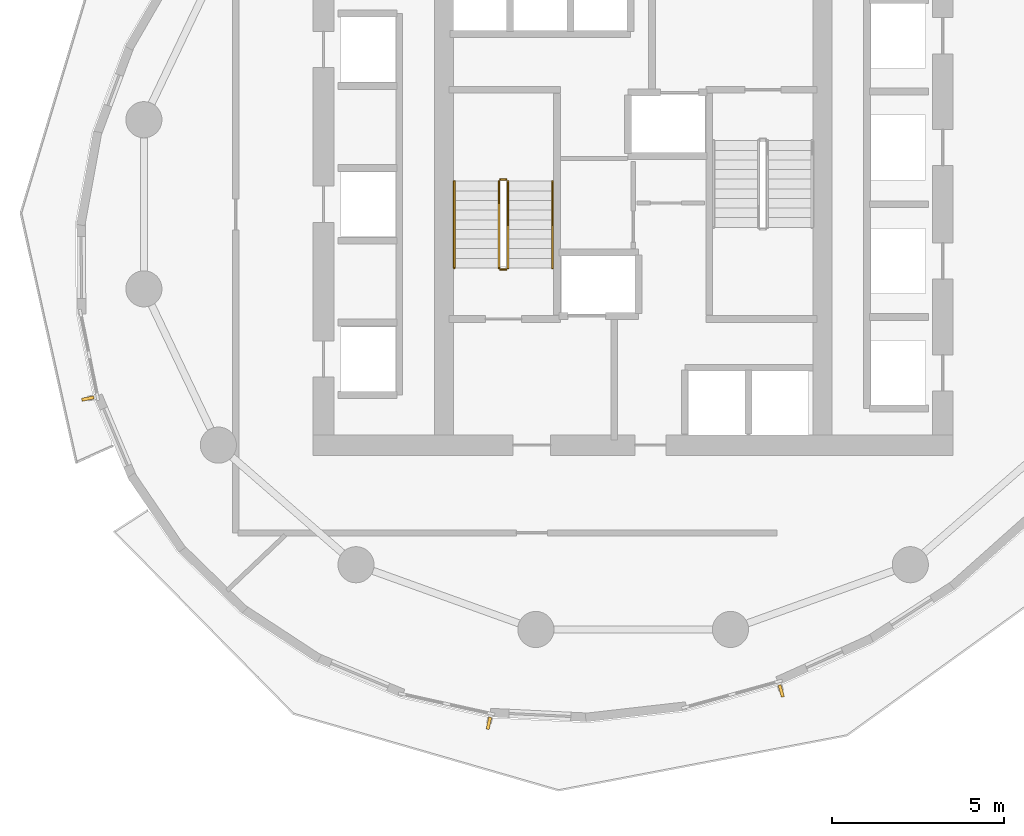
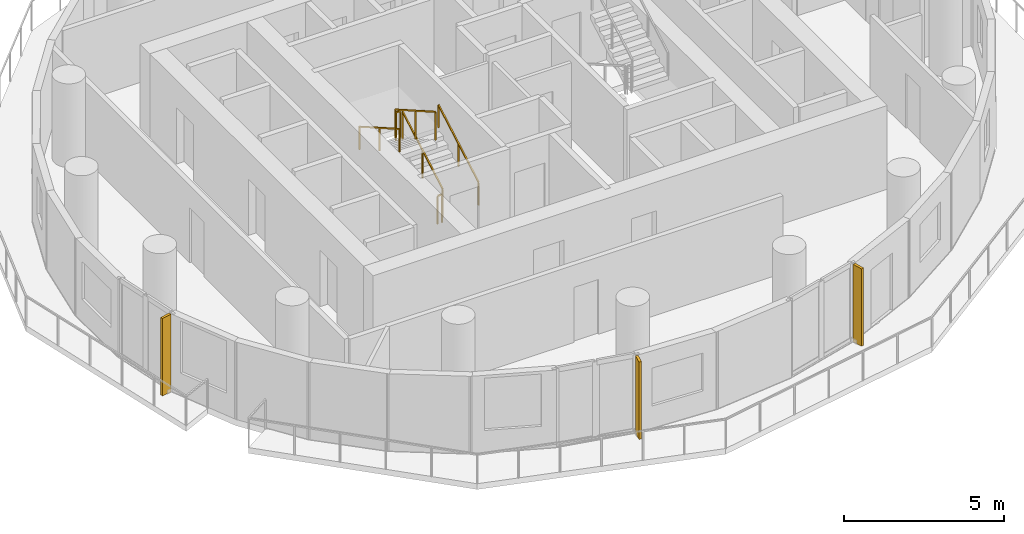
# One storey, part 7 of 11: 6 railings, 3 shading devices.
"""IFC4 building model written with IfcOpenShell, lengths in metres."""

from ifc_helpers import new_model, si_unit, direction, frame, origin, origin_2d, place, context, subcontext, project, spatial, rectangle, extrude, material, layer, layer_set, type_object, element, save


model = new_model("IFC4")

# Units and contexts
model_context = context("Model", 3, precision=1e-05, world=origin(), true_north=direction((0.0, 1.0)))
body_context = subcontext(model_context, "Body", "Model", "MODEL_VIEW")
ifc_project = project(units=[si_unit("LENGTHUNIT", "METRE"), si_unit("AREAUNIT", "SQUARE_METRE"), si_unit("VOLUMEUNIT", "CUBIC_METRE"), si_unit("PLANEANGLEUNIT", "RADIAN"), si_unit("MASSUNIT", "GRAM", prefix="KILO")], contexts=[model_context])

# Site, building, storey
site_placement = place(None, origin())
site = spatial("IfcSite", under=ifc_project, at=site_placement, CompositionType="ELEMENT")
building_placement = place(site_placement, origin())
building = spatial("IfcBuilding", under=site, at=building_placement, Name="Veldorim Arch Residences", CompositionType="ELEMENT")
storey_placement = place(building_placement, frame((0.0, 0.0, 116.9599609375)))
storey = spatial("IfcBuildingStorey", under=building, at=storey_placement, Name="L34", CompositionType="ELEMENT", Elevation=116.9599609375)

# Railings
ifc_material_1 = material(Name="Steel S355", Category="steel")
railing_type_1 = type_object("IfcRailingType", Name="Galvanised Steel Stair Safety Guardrail 1100", PredefinedType="GUARDRAIL", material=ifc_material_1)
railing_1_placement = place(storey_placement, frame((28.360107421875, 22.14990234375, 0.16015625)))
element("IfcRailing", 1, at=railing_1_placement, inside=storey, type_object=railing_type_1, Name="L34 ST-1 stair guard 1", PredefinedType="GUARDRAIL", context=body_context, shape_type="SweptSolid", body=[
    extrude(rectangle(XDim=0.048095703125, YDim=0.048095703125, at=origin_2d()), frame((0.0, 0.0, 1.076171875), z_axis=(0.0, 0.868253494771, 0.496120820787), x_axis=(-1.0, 0.0, 0.0)), (0.0, 0.0, 1.0), 2.90234375),
    extrude(rectangle(XDim=0.0419921875, YDim=0.0419921875, at=origin_2d()), origin(), (0.0, 0.0, 1.0), 1.052001953125),
    extrude(rectangle(XDim=0.0419921875, YDim=0.0419921875, at=origin_2d()), frame((0.0, 1.260009765625, 0.719970703125)), (0.0, 0.0, 1.0), 1.052001953125),
    extrude(rectangle(XDim=0.0419921875, YDim=0.0419921875, at=origin_2d()), frame((0.0, 2.52001953125, 1.43994140625)), (0.0, 0.0, 1.0), 1.052001953125),
])
railing_2_placement = place(storey_placement, frame((28.31005859375, 24.719970703125, 1.60009765625)))
element("IfcRailing", 2, at=railing_2_placement, inside=storey, type_object=railing_type_1, Name="L34 ST-1 stair guard 2", PredefinedType="GUARDRAIL", context=body_context, shape_type="SweptSolid", body=[
    extrude(rectangle(XDim=0.048095703125, YDim=0.048095703125, at=origin_2d()), frame((0.0, 0.0, 1.076171875), z_axis=(-1.0, 0.0, 0.0), x_axis=(0.0, -1.0, 0.0)), (0.0, 0.0, 1.0), 0.16015625),
    extrude(rectangle(XDim=0.0419921875, YDim=0.0419921875, at=origin_2d()), origin(), (0.0, 0.0, 1.0), 1.052001953125),
    extrude(rectangle(XDim=0.0419921875, YDim=0.0419921875, at=origin_2d()), frame((-0.16015625, 0.0, 0.0)), (0.0, 0.0, 1.0), 1.052001953125),
])
railing_3_placement = place(storey_placement, frame((28.10009765625, 24.669921875, 1.760009765625)))
element("IfcRailing", 3, at=railing_3_placement, inside=storey, type_object=railing_type_1, Name="L34 ST-1 stair guard 3", PredefinedType="GUARDRAIL", context=body_context, shape_type="SweptSolid", body=[
    extrude(rectangle(XDim=0.048095703125, YDim=0.048095703125, at=origin_2d()), frame((0.0, 0.0, 1.076171875), z_axis=(0.0, -0.868253494771, 0.496120820787), x_axis=(1.0, 0.0, 0.0)), (0.0, 0.0, 1.0), 2.90234375),
    extrude(rectangle(XDim=0.0419921875, YDim=0.0419921875, at=origin_2d()), origin(), (0.0, 0.0, 1.0), 1.052001953125),
    extrude(rectangle(XDim=0.0419921875, YDim=0.0419921875, at=origin_2d()), frame((0.0, -1.260009765625, 0.719970703125)), (0.0, 0.0, 1.0), 1.052001953125),
    extrude(rectangle(XDim=0.0419921875, YDim=0.0419921875, at=origin_2d()), frame((0.0, -2.52001953125, 1.43994140625)), (0.0, 0.0, 1.0), 1.052001953125),
])
railing_4_placement = place(storey_placement, frame((28.31005859375, 22.10009765625, 0.0)))
element("IfcRailing", 4, at=railing_4_placement, inside=storey, type_object=railing_type_1, Name="L34 ST-1 stair guard 4", PredefinedType="GUARDRAIL", context=body_context, shape_type="SweptSolid", body=[
    extrude(rectangle(XDim=0.048095703125, YDim=0.048095703125, at=origin_2d()), frame((0.0, 0.0, 1.076171875), z_axis=(-1.0, 0.0, 0.0), x_axis=(0.0, -1.0, 0.0)), (0.0, 0.0, 1.0), 0.16015625),
    extrude(rectangle(XDim=0.0419921875, YDim=0.0419921875, at=origin_2d()), origin(), (0.0, 0.0, 1.0), 1.052001953125),
    extrude(rectangle(XDim=0.0419921875, YDim=0.0419921875, at=origin_2d()), frame((-0.16015625, 0.0, 0.0)), (0.0, 0.0, 1.0), 1.052001953125),
])
ifc_material_2 = material(Name="Stainless Steel", Category="steel")
railing_type_2 = type_object("IfcRailingType", Name="Tubular Steel Continuous Wall Handrail 900", PredefinedType="HANDRAIL", material=ifc_material_2)
railing_5_placement = place(storey_placement, frame((29.659912109375, 22.14990234375, 0.16015625)))
element("IfcRailing", 5, at=railing_5_placement, inside=storey, type_object=railing_type_2, Name="L34 ST-1 stair handrail 1", PredefinedType="HANDRAIL", context=body_context, shape_type="SweptSolid", body=[
    extrude(rectangle(XDim=0.048095703125, YDim=0.048095703125, at=origin_2d()), frame((0.0, 0.0, 0.8759765625), z_axis=(0.0, 0.868253494771, 0.496120820787), x_axis=(-1.0, 0.0, 0.0)), (0.0, 0.0, 1.0), 2.90234375),
    extrude(rectangle(XDim=0.0419921875, YDim=0.0419921875, at=origin_2d()), origin(), (0.0, 0.0, 1.0), 0.851806640625),
    extrude(rectangle(XDim=0.0419921875, YDim=0.0419921875, at=origin_2d()), frame((0.0, 1.260009765625, 0.719970703125)), (0.0, 0.0, 1.0), 0.851806640625),
    extrude(rectangle(XDim=0.0419921875, YDim=0.0419921875, at=origin_2d()), frame((0.0, 2.52001953125, 1.43994140625)), (0.0, 0.0, 1.0), 0.851806640625),
])
railing_6_placement = place(storey_placement, frame((26.800048828125, 24.669921875, 1.760009765625)))
element("IfcRailing", 6, at=railing_6_placement, inside=storey, type_object=railing_type_2, Name="L34 ST-1 stair handrail 2", PredefinedType="HANDRAIL", context=body_context, shape_type="SweptSolid", body=[
    extrude(rectangle(XDim=0.048095703125, YDim=0.048095703125, at=origin_2d()), frame((0.0, 0.0, 0.8759765625), z_axis=(0.0, -0.868253494771, 0.496120820787), x_axis=(1.0, 0.0, 0.0)), (0.0, 0.0, 1.0), 2.90234375),
    extrude(rectangle(XDim=0.0419921875, YDim=0.0419921875, at=origin_2d()), origin(), (0.0, 0.0, 1.0), 0.851806640625),
    extrude(rectangle(XDim=0.0419921875, YDim=0.0419921875, at=origin_2d()), frame((0.0, -1.260009765625, 0.719970703125)), (0.0, 0.0, 1.0), 0.851806640625),
    extrude(rectangle(XDim=0.0419921875, YDim=0.0419921875, at=origin_2d()), frame((0.0, -2.52001953125, 1.43994140625)), (0.0, 0.0, 1.0), 0.851806640625),
])

# Shading devices
ifc_material_3 = material(Name="Terracotta Ceramic", Category="masonry")
ifc_layer = layer(ifc_material_3, 0.090087890625, Name="Vertical Extruded Terracotta Baguette Sun-Shading Fin")
ifc_layer_set = layer_set([ifc_layer], Name="Terracotta Ceramic")
shading_device_type = type_object("IfcShadingDeviceType", Name="Vertical Extruded Terracotta Baguette Sun-Shading Fin", PredefinedType="USERDEFINED", material=ifc_layer_set)
for number, where, z_axis, x_axis, name in (
    (7, (16.150390625, 18.352294921875, 0.0), (0.0, 0.0, 1.0), (-0.198170582048, 0.980167547112, 0.0), "L34 vertical terracotta sun-shading fin 17"),
    (8, (27.80810546875, 8.916748046875, 0.0), (0.0, 0.0, 1.0), (-0.976484514545, 0.215587552642, 0.0), "L34 vertical terracotta sun-shading fin 23"),
    (9, (36.302490234375, 9.85546875, 0.0), (0.0, 0.0, 1.0), (-0.963863295733, -0.266397348219, 0.0), "L34 vertical terracotta sun-shading fin 26"),
):
    element("IfcShadingDevice", number, at=place(storey_placement, frame(where, z_axis=z_axis, x_axis=x_axis)), inside=storey, type_object=shading_device_type, Name=name, ObjectType="FIN", PredefinedType="USERDEFINED", context=body_context, shape_type="SweptSolid", body=[
        extrude(rectangle(XDim=0.090087890625, YDim=0.360107421875, at=origin_2d()), origin(), (0.0, 0.0, 1.0), 2.9599609375),
    ])

save(model, "model.ifc")
